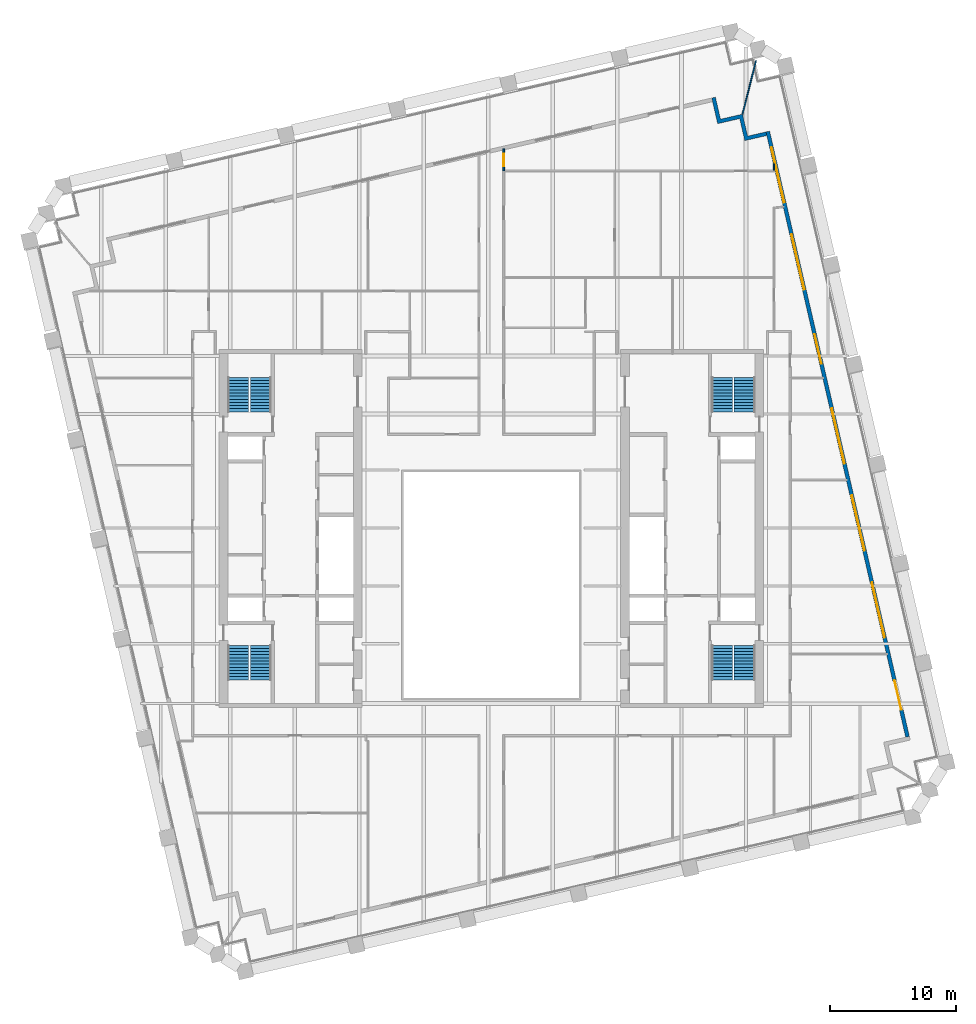
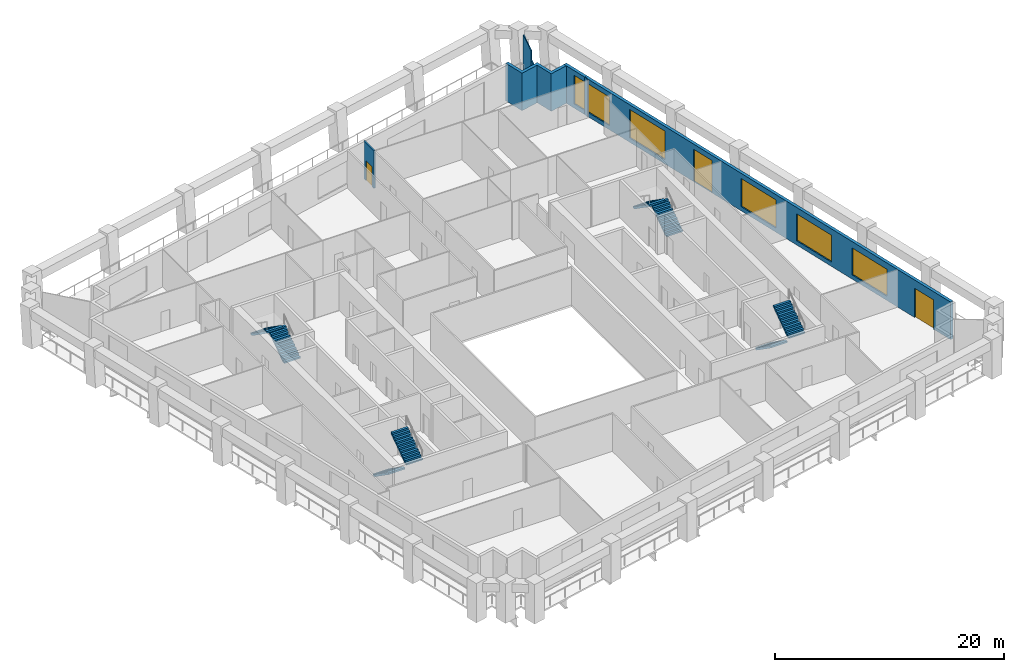
# One storey, part 9 of 10: 8 stair flights, 6 walls, 5 windows, 3 doors, 8 openings, 4 elements without a shape of their own.
"""IFC4 building model written with IfcOpenShell, lengths in metres."""

from ifc_helpers import new_model, si_unit, direction, frame, frame_2d, origin, place, context, subcontext, project, spatial, polyline, rectangle, outline, extrude, material, layer, layer_set, type_object, element, fill, aggregate, save


model = new_model("IFC4")

# Units and contexts
model_context = context("Model", 3, precision=1e-05, world=origin(), true_north=direction((0.0, 1.0)))
body_context = subcontext(model_context, "Body", "Model", "MODEL_VIEW")
ifc_project = project(units=[si_unit("LENGTHUNIT", "METRE"), si_unit("AREAUNIT", "SQUARE_METRE"), si_unit("VOLUMEUNIT", "CUBIC_METRE"), si_unit("PLANEANGLEUNIT", "RADIAN"), si_unit("MASSUNIT", "GRAM", prefix="KILO")], contexts=[model_context])

# Site, building, storey
site_placement = place(None, origin())
site = spatial("IfcSite", under=ifc_project, at=site_placement, CompositionType="ELEMENT")
building_placement = place(site_placement, origin())
building = spatial("IfcBuilding", under=site, at=building_placement, Name="Ogive Exchange Tower", CompositionType="ELEMENT")
storey_placement = place(building_placement, frame((0.0, 0.0, 192.60009765625)))
storey = spatial("IfcBuildingStorey", under=building, at=storey_placement, Name="L42", CompositionType="ELEMENT", Elevation=192.60009765625)

# Wall, opening, door
ifc_material_1 = material(Name="Fire partition EI 60 150")
ifc_layer_1 = layer(ifc_material_1, 0.14990234375)
ifc_layer_set_1 = layer_set([ifc_layer_1], Name="Fire partition EI 60 150")
wall_type_1 = type_object("IfcWallType", Name="Fire partition EI 60 150", PredefinedType="PARTITIONING", material=ifc_layer_set_1)
wall_1_placement = place(storey_placement, frame((0.989990234375, 41.7529296875, 0.0), z_axis=(0.0, 0.0, 1.0), x_axis=(0.0, -1.0, 0.0)))
wall_1 = element("IfcWall", 1, at=wall_1_placement, inside=storey, type_object=wall_type_1, Name="L42-PWL-048", PredefinedType="PARTITIONING", context=body_context, shape_type="SweptSolid", body=[
    extrude(rectangle(XDim=1.7529296875, YDim=0.14990234375, at=frame_2d((0.87646484375, 0.0))), origin(), (0.0, 0.0, 1.0), 4.0),
])
opening_1_placement = place(wall_1_placement, frame((0.403076171875, 0.0, 0.0)))
opening_1 = element("IfcOpeningElement", 2, at=opening_1_placement, cuts=wall_1, Name="Opening L42-I29", PredefinedType="OPENING", context=body_context, shape_type="SweptSolid", body=[
    extrude(rectangle(XDim=1.0, YDim=2.10009765625, at=frame_2d((0.5, 1.050048828125))), frame((0.0, 0.0849609375, 0.0), z_axis=(0.0, -1.0, 0.0), x_axis=(1.0, 0.0, 0.0)), (0.0, 0.0, 1.0), 0.169921875),
])
ifc_material_2 = material(Name="Fire door FD 30S 1000 x 2100")
door_type_1 = type_object("IfcDoorType", Name="Fire door FD 30S 1000 x 2100", OperationType="NOTDEFINED", PredefinedType="DOOR", material=ifc_material_2)
door_1_placement = place(opening_1_placement, origin())
door_1 = element("IfcDoor", 3, at=door_1_placement, inside=storey, type_object=door_type_1, Name="L42-IDR-029", ObjectType="DT3", OperationType="SINGLE_SWING_LEFT", OverallHeight=2.10009765625, OverallWidth=1.0, PredefinedType="DOOR", context=body_context, shape_type="SweptSolid", body=[
    extrude(rectangle(XDim=1.0, YDim=2.10009765625, at=frame_2d((0.5, 1.050048828125))), frame((0.0, 0.02490234375, 0.0), z_axis=(0.0, -1.0, 0.0), x_axis=(1.0, 0.0, 0.0)), (0.0, 0.0, 1.0), 0.050048828125),
])
fill(opening_1, door_1)

# Wall, openings, doors, windows
ifc_material_3 = material(Name="Precast concrete C40/50", Category="concrete")
ifc_layer_2 = layer(ifc_material_3, 0.300048828125)
ifc_layer_set_2 = layer_set([ifc_layer_2], Name="Limestone-faced wall 300")
wall_type_2 = type_object("IfcWallType", Name="Limestone-faced wall 300", PredefinedType="STANDARD", material=ifc_layer_set_2)
wall_2_placement = place(storey_placement, frame((33.1572265625, -5.092041015625, 0.0), z_axis=(0.0, 0.0, 1.0), x_axis=(-0.224950279389, 0.974370243697, 0.0)))
wall_2 = element("IfcWall", 4, at=wall_2_placement, inside=storey, type_object=wall_type_2, Name="External wall E2", PredefinedType="STANDARD", context=body_context, shape_type="SweptSolid", body=[
    extrude(rectangle(XDim=49.499755859375, YDim=0.300048828125, at=frame_2d((24.75, 0.0))), origin(), (0.0, 0.0, 1.0), 4.0),
])
opening_2_placement = place(wall_2_placement, frame((2.20703125, 0.0, 0.0)))
opening_2 = element("IfcOpeningElement", 5, at=opening_2_placement, cuts=wall_2, Name="Opening D1J", PredefinedType="OPENING", context=body_context, shape_type="SweptSolid", body=[
    extrude(rectangle(XDim=2.39990234375, YDim=3.125, at=frame_2d((1.199951171875, 1.5625))), frame((0.0, 0.159912109375, 0.0), z_axis=(0.0, -1.0, 0.0), x_axis=(1.0, 0.0, 0.0)), (0.0, 0.0, 1.0), 0.320068359375),
])
opening_3_placement = place(wall_2_placement, frame((8.121337890625, 0.0, 0.449951171875)))
opening_3 = element("IfcOpeningElement", 6, at=opening_3_placement, cuts=wall_2, Name="Opening W1D", PredefinedType="OPENING", context=body_context, shape_type="SweptSolid", body=[
    extrude(rectangle(XDim=4.5, YDim=2.875, at=frame_2d((2.25, 1.4375))), frame((0.0, 0.159912109375, 0.0), z_axis=(0.0, -1.0, 0.0), x_axis=(1.0, 0.0, 0.0)), (0.0, 0.0, 1.0), 0.320068359375),
])
opening_4_placement = place(wall_2_placement, frame((15.235595703125, 0.0, 0.449951171875)))
opening_4 = element("IfcOpeningElement", 7, at=opening_4_placement, cuts=wall_2, Name="Opening W1D", PredefinedType="OPENING", context=body_context, shape_type="SweptSolid", body=[
    extrude(rectangle(XDim=4.5, YDim=2.875, at=frame_2d((2.25, 1.4375))), frame((0.0, 0.159912109375, 0.0), z_axis=(0.0, -1.0, 0.0), x_axis=(1.0, 0.0, 0.0)), (0.0, 0.0, 1.0), 0.320068359375),
])
opening_5_placement = place(wall_2_placement, frame((22.35009765625, 0.0, 0.449951171875)))
opening_5 = element("IfcOpeningElement", 8, at=opening_5_placement, cuts=wall_2, Name="Opening W1A", PredefinedType="OPENING", context=body_context, shape_type="SweptSolid", body=[
    extrude(rectangle(XDim=4.5, YDim=3.0, at=frame_2d((2.25, 1.5))), frame((0.0, 0.159912109375, 0.0), z_axis=(0.0, -1.0, 0.0), x_axis=(1.0, 0.0, 0.0)), (0.0, 0.0, 1.0), 0.320068359375),
])
opening_6_placement = place(wall_2_placement, frame((30.51416015625, 0.0, 0.0)))
opening_6 = element("IfcOpeningElement", 9, at=opening_6_placement, cuts=wall_2, Name="Opening D1A", PredefinedType="OPENING", context=body_context, shape_type="SweptSolid", body=[
    extrude(rectangle(XDim=2.39990234375, YDim=3.449951171875, at=frame_2d((1.199951171875, 1.72509765625))), frame((0.0, 0.159912109375, 0.0), z_axis=(0.0, -1.0, 0.0), x_axis=(1.0, 0.0, 0.0)), (0.0, 0.0, 1.0), 0.320068359375),
])
opening_7_placement = place(wall_2_placement, frame((36.57861328125, 0.0, 0.449951171875)))
opening_7 = element("IfcOpeningElement", 10, at=opening_7_placement, cuts=wall_2, Name="Opening W1", PredefinedType="OPENING", context=body_context, shape_type="SweptSolid", body=[
    extrude(rectangle(XDim=4.5, YDim=3.050048828125, at=frame_2d((2.25, 1.52490234375))), frame((0.0, 0.159912109375, 0.0), z_axis=(0.0, -1.0, 0.0), x_axis=(1.0, 0.0, 0.0)), (0.0, 0.0, 1.0), 0.320068359375),
])
opening_8_placement = place(wall_2_placement, frame((43.69287109375, 0.0, 0.449951171875)))
opening_8 = element("IfcOpeningElement", 11, at=opening_8_placement, cuts=wall_2, Name="Opening W1", PredefinedType="OPENING", context=body_context, shape_type="SweptSolid", body=[
    extrude(rectangle(XDim=4.5, YDim=3.050048828125, at=frame_2d((2.25, 1.52490234375))), frame((0.0, 0.159912109375, 0.0), z_axis=(0.0, -1.0, 0.0), x_axis=(1.0, 0.0, 0.0)), (0.0, 0.0, 1.0), 0.320068359375),
])
ifc_material_4 = material(Name="Clear glass in bronze frame", Category="glass")
door_type_2 = type_object("IfcDoorType", Name="Sliding loggia door 2400 x 3125", OperationType="DOUBLE_DOOR_SLIDING", PredefinedType="DOOR", material=ifc_material_4)
door_2_placement = place(opening_2_placement, origin())
door_2 = element("IfcDoor", 12, at=door_2_placement, inside=storey, type_object=door_type_2, Name="Loggia door E00", OperationType="DOUBLE_DOOR_SLIDING", OverallHeight=3.125, OverallWidth=2.39990234375, PredefinedType="DOOR", context=body_context, shape_type="SweptSolid", body=[
    extrude(rectangle(XDim=2.39990234375, YDim=3.125, at=frame_2d((1.199951171875, 1.5625))), frame((0.0, 0.02490234375, 0.0), z_axis=(0.0, -1.0, 0.0), x_axis=(1.0, 0.0, 0.0)), (0.0, 0.0, 1.0), 0.050048828125),
])
fill(opening_2, door_2)
door_type_3 = type_object("IfcDoorType", Name="Sliding loggia door 2400 x 3450", OperationType="DOUBLE_DOOR_SLIDING", PredefinedType="DOOR", material=ifc_material_4)
door_3_placement = place(opening_6_placement, origin())
door_3 = element("IfcDoor", 13, at=door_3_placement, inside=storey, type_object=door_type_3, Name="Loggia door E04", OperationType="DOUBLE_DOOR_SLIDING", OverallHeight=3.449951171875, OverallWidth=2.39990234375, PredefinedType="DOOR", context=body_context, shape_type="SweptSolid", body=[
    extrude(rectangle(XDim=2.39990234375, YDim=3.449951171875, at=frame_2d((1.199951171875, 1.72509765625))), frame((0.0, 0.02490234375, 0.0), z_axis=(0.0, -1.0, 0.0), x_axis=(1.0, 0.0, 0.0)), (0.0, 0.0, 1.0), 0.050048828125),
])
fill(opening_6, door_3)
window_type_1 = type_object("IfcWindowType", Name="Twin lancet window 4500 x 2875", PartitioningType="DOUBLE_PANEL_VERTICAL", PredefinedType="WINDOW", material=ifc_material_4)
window_1_placement = place(opening_3_placement, origin())
window_1 = element("IfcWindow", 14, at=window_1_placement, inside=storey, type_object=window_type_1, Name="Window E01", OverallHeight=2.875, OverallWidth=4.5, PartitioningType="DOUBLE_PANEL_VERTICAL", PredefinedType="WINDOW", context=body_context, shape_type="SweptSolid", body=[
    extrude(rectangle(XDim=4.5, YDim=2.875, at=frame_2d((2.25, 1.4375))), frame((0.0, 0.030029296875, 0.0), z_axis=(0.0, -1.0, 0.0), x_axis=(1.0, 0.0, 0.0)), (0.0, 0.0, 1.0), 0.06005859375),
])
fill(opening_3, window_1)
window_2_placement = place(opening_4_placement, origin())
window_2 = element("IfcWindow", 15, at=window_2_placement, inside=storey, type_object=window_type_1, Name="Window E02", OverallHeight=2.875, OverallWidth=4.5, PartitioningType="DOUBLE_PANEL_VERTICAL", PredefinedType="WINDOW", context=body_context, shape_type="SweptSolid", body=[
    extrude(rectangle(XDim=4.5, YDim=2.875, at=frame_2d((2.25, 1.4375))), frame((0.0, 0.030029296875, 0.0), z_axis=(0.0, -1.0, 0.0), x_axis=(1.0, 0.0, 0.0)), (0.0, 0.0, 1.0), 0.06005859375),
])
fill(opening_4, window_2)
window_type_2 = type_object("IfcWindowType", Name="Twin lancet window 4500 x 3000", PartitioningType="DOUBLE_PANEL_VERTICAL", PredefinedType="WINDOW", material=ifc_material_4)
window_3_placement = place(opening_5_placement, origin())
window_3 = element("IfcWindow", 16, at=window_3_placement, inside=storey, type_object=window_type_2, Name="Window E03", OverallHeight=3.0, OverallWidth=4.5, PartitioningType="DOUBLE_PANEL_VERTICAL", PredefinedType="WINDOW", context=body_context, shape_type="SweptSolid", body=[
    extrude(rectangle(XDim=4.5, YDim=3.0, at=frame_2d((2.25, 1.5))), frame((0.0, 0.030029296875, 0.0), z_axis=(0.0, -1.0, 0.0), x_axis=(1.0, 0.0, 0.0)), (0.0, 0.0, 1.0), 0.06005859375),
])
fill(opening_5, window_3)
window_type_3 = type_object("IfcWindowType", Name="Twin lancet window 4500 x 3050", PartitioningType="DOUBLE_PANEL_VERTICAL", PredefinedType="WINDOW", material=ifc_material_4)
window_4_placement = place(opening_7_placement, origin())
window_4 = element("IfcWindow", 17, at=window_4_placement, inside=storey, type_object=window_type_3, Name="Window E05", OverallHeight=3.050048828125, OverallWidth=4.5, PartitioningType="DOUBLE_PANEL_VERTICAL", PredefinedType="WINDOW", context=body_context, shape_type="SweptSolid", body=[
    extrude(rectangle(XDim=4.5, YDim=3.050048828125, at=frame_2d((2.25, 1.52490234375))), frame((0.0, 0.030029296875, 0.0), z_axis=(0.0, -1.0, 0.0), x_axis=(1.0, 0.0, 0.0)), (0.0, 0.0, 1.0), 0.06005859375),
])
fill(opening_7, window_4)
window_5_placement = place(opening_8_placement, origin())
window_5 = element("IfcWindow", 18, at=window_5_placement, inside=storey, type_object=window_type_3, Name="Window E06", OverallHeight=3.050048828125, OverallWidth=4.5, PartitioningType="DOUBLE_PANEL_VERTICAL", PredefinedType="WINDOW", context=body_context, shape_type="SweptSolid", body=[
    extrude(rectangle(XDim=4.5, YDim=3.050048828125, at=frame_2d((2.25, 1.52490234375))), frame((0.0, 0.030029296875, 0.0), z_axis=(0.0, -1.0, 0.0), x_axis=(1.0, 0.0, 0.0)), (0.0, 0.0, 1.0), 0.06005859375),
])
fill(opening_8, window_5)

# Walls
wall_3_placement = place(storey_placement, origin())
element("IfcWall", 19, at=wall_3_placement, inside=storey, type_object=wall_type_2, Name="External corner wall C2", PredefinedType="STANDARD", context=body_context, shape_type="SweptSolid", body=[
    extrude(outline(polyline([(19.78466796875, 44.162109375), (18.03076171875, 43.757080078125), (17.558349609375, 45.80322265625), (17.8505859375, 45.870849609375), (18.255615234375, 44.116943359375), (20.009521484375, 44.52197265625), (20.414306640625, 42.76806640625), (21.8759765625, 43.10546875), (21.943359375, 42.81298828125), (20.189697265625, 42.408203125), (19.78466796875, 44.162109375)])), origin(), (0.0, 0.0, 1.0), 4.0),
])
ifc_material_5 = material(Name="Laminated safety glass in steel frame", Category="steel")
ifc_layer_3 = layer(ifc_material_5, 0.10009765625)
ifc_layer_set_3 = layer_set([ifc_layer_3], Name="Loggia end screen 100")
wall_type_3 = type_object("IfcWallType", Name="Loggia end screen 100", PredefinedType="STANDARD", material=ifc_layer_set_3)
wall_4_placement = place(storey_placement, frame((20.009521484375, 44.52197265625, -0.050048828125), z_axis=(0.0, 0.0, 1.0), x_axis=(0.245426435893, 0.969415217832, 0.0)))
element("IfcWall", 20, at=wall_4_placement, inside=storey, type_object=wall_type_3, Name="Loggia end screen C2", PredefinedType="STANDARD", context=body_context, shape_type="SweptSolid", body=[
    extrude(rectangle(XDim=1.906982421875, YDim=0.10009765625, at=frame_2d((0.95361328125, 0.0))), origin(), (0.0, 0.0, 1.0), 3.070068359375),
])
wall_5_placement = place(storey_placement, frame((20.4775390625, 46.37060546875, -0.050048828125), z_axis=(0.0, 0.0, 1.0), x_axis=(0.245413649937, 0.969418454758, 0.0)))
element("IfcWall", 21, at=wall_5_placement, inside=storey, type_object=wall_type_3, Name="Loggia end screen C2", PredefinedType="STANDARD", context=body_context, shape_type="SweptSolid", body=[
    extrude(rectangle(XDim=2.47412109375, YDim=0.10009765625, at=frame_2d((1.237060546875, 0.0))), origin(), (0.0, 0.0, 1.0), 4.050048828125),
])
ifc_material_6 = material(Name="Partition 100 gypsum")
ifc_layer_4 = layer(ifc_material_6, 0.10009765625)
ifc_layer_set_4 = layer_set([ifc_layer_4], Name="Partition 100 gypsum")
wall_type_4 = type_object("IfcWallType", Name="Partition 100 gypsum", PredefinedType="PARTITIONING", material=ifc_layer_set_4)
wall_6_placement = place(storey_placement, frame((22.52001953125, 40.050048828125, 0.0), z_axis=(0.0, 0.0, 1.0), x_axis=(0.0, 1.0, 0.0)))
element("IfcWall", 22, at=wall_6_placement, inside=storey, type_object=wall_type_4, Name="L42-PWL-076", PredefinedType="PARTITIONING", context=body_context, shape_type="SweptSolid", body=[
    extrude(rectangle(XDim=0.510009765625, YDim=0.10009765625, at=frame_2d((0.2548828125, 0.0))), origin(), (0.0, 0.0, 1.0), 4.0),
])

# Stair, stair flights
ifc_material_7 = material(Name="Concrete C40/50", Category="concrete")
stair_type = type_object("IfcStairType", Name="Exit stair 1650 wide", PredefinedType="HALF_TURN_STAIR", material=ifc_material_7)
stair_1_placement = place(storey_placement, origin())
stair_1 = element("IfcStair", 23, at=stair_1_placement, inside=storey, type_object=stair_type, Name="L42 exit stair ST1", PredefinedType="HALF_TURN_STAIR")
stair_flight_type = type_object("IfcStairFlightType", Name="Stair flight 1650 wide", PredefinedType="STRAIGHT", material=ifc_material_7)
stair_flight_1_placement = place(storey_placement, frame((-20.175048828125, 2.199951171875, 0.0), z_axis=(0.0, 0.0, 1.0), x_axis=(0.0, -1.0, 0.0)))
stair_flight_1 = element("IfcStairFlight", 24, at=stair_flight_1_placement, type_object=stair_flight_type, Name="ST1 flight 1", NumberOfRisers=12, NumberOfTreads=11, PredefinedType="STRAIGHT", RiserHeight=0.175, TreadLength=0.25, context=body_context, shape_type="SweptSolid", body=[
    extrude(outline(polyline([(0.0, 0.0), (0.0, 0.175048828125), (0.25, 0.175048828125), (0.25, 0.35009765625), (0.5, 0.35009765625), (0.5, 0.52490234375), (0.75, 0.52490234375), (0.75, 0.699951171875), (1.0, 0.699951171875), (1.0, 0.875), (1.25, 0.875), (1.25, 1.050048828125), (1.5, 1.050048828125), (1.5, 1.22509765625), (1.75, 1.22509765625), (1.75, 1.39990234375), (2.0, 1.39990234375), (2.0, 1.574951171875), (2.25, 1.574951171875), (2.25, 1.75), (2.5, 1.75), (2.5, 1.925048828125), (2.75, 1.925048828125), (2.75, 2.10009765625), (2.75, 1.741943359375), (0.261474609375, 0.0), (0.0, 0.0)])), frame((0.0, 0.824951171875, 0.0), z_axis=(0.0, -1.0, 0.0), x_axis=(1.0, 0.0, 0.0)), (0.0, 0.0, 1.0), 1.64990234375),
])
stair_flight_2_placement = place(storey_placement, frame((-18.375, -0.550048828125, 2.099853515625), z_axis=(0.0, 0.0, 1.0), x_axis=(0.0, 1.0, 0.0)))
stair_flight_2 = element("IfcStairFlight", 25, at=stair_flight_2_placement, type_object=stair_flight_type, Name="ST1 flight 2", NumberOfRisers=12, NumberOfTreads=11, PredefinedType="STRAIGHT", RiserHeight=0.175, TreadLength=0.25, context=body_context, shape_type="SweptSolid", body=[
    extrude(outline(polyline([(0.0, 0.0), (0.0, 0.175048828125), (0.25, 0.175048828125), (0.25, 0.35009765625), (0.5, 0.35009765625), (0.5, 0.52490234375), (0.75, 0.52490234375), (0.75, 0.699951171875), (1.0, 0.699951171875), (1.0, 0.875), (1.25, 0.875), (1.25, 1.050048828125), (1.5, 1.050048828125), (1.5, 1.22509765625), (1.75, 1.22509765625), (1.75, 1.39990234375), (2.0, 1.39990234375), (2.0, 1.574951171875), (2.25, 1.574951171875), (2.25, 1.75), (2.5, 1.75), (2.5, 1.925048828125), (2.75, 1.925048828125), (2.75, 2.10009765625), (2.75, 1.741943359375), (0.261474609375, 0.0), (0.0, 0.0)])), frame((0.0, 0.824951171875, 0.0), z_axis=(0.0, -1.0, 0.0), x_axis=(1.0, 0.0, 0.0)), (0.0, 0.0, 1.0), 1.64990234375),
])
aggregate(stair_1, [stair_flight_1, stair_flight_2])

stair_2_placement = place(storey_placement, origin())
stair_2 = element("IfcStair", 26, at=stair_2_placement, inside=storey, type_object=stair_type, Name="L42 exit stair ST2", PredefinedType="HALF_TURN_STAIR")
stair_flight_3_placement = place(storey_placement, frame((-18.375, 20.800048828125, 0.0), z_axis=(0.0, 0.0, 1.0), x_axis=(0.0, 1.0, 0.0)))
stair_flight_3 = element("IfcStairFlight", 27, at=stair_flight_3_placement, type_object=stair_flight_type, Name="ST2 flight 1", NumberOfRisers=12, NumberOfTreads=11, PredefinedType="STRAIGHT", RiserHeight=0.175, TreadLength=0.25, context=body_context, shape_type="SweptSolid", body=[
    extrude(outline(polyline([(0.0, 0.0), (0.0, 0.175048828125), (0.25, 0.175048828125), (0.25, 0.35009765625), (0.5, 0.35009765625), (0.5, 0.52490234375), (0.75, 0.52490234375), (0.75, 0.699951171875), (1.0, 0.699951171875), (1.0, 0.875), (1.25, 0.875), (1.25, 1.050048828125), (1.5, 1.050048828125), (1.5, 1.22509765625), (1.75, 1.22509765625), (1.75, 1.39990234375), (2.0, 1.39990234375), (2.0, 1.574951171875), (2.25, 1.574951171875), (2.25, 1.75), (2.5, 1.75), (2.5, 1.925048828125), (2.75, 1.925048828125), (2.75, 2.10009765625), (2.75, 1.741943359375), (0.261474609375, 0.0), (0.0, 0.0)])), frame((0.0, 0.824951171875, 0.0), z_axis=(0.0, -1.0, 0.0), x_axis=(1.0, 0.0, 0.0)), (0.0, 0.0, 1.0), 1.64990234375),
])
stair_flight_4_placement = place(storey_placement, frame((-20.175048828125, 23.550048828125, 2.099853515625), z_axis=(0.0, 0.0, 1.0), x_axis=(0.0, -1.0, 0.0)))
stair_flight_4 = element("IfcStairFlight", 28, at=stair_flight_4_placement, type_object=stair_flight_type, Name="ST2 flight 2", NumberOfRisers=12, NumberOfTreads=11, PredefinedType="STRAIGHT", RiserHeight=0.175, TreadLength=0.25, context=body_context, shape_type="SweptSolid", body=[
    extrude(outline(polyline([(0.0, 0.0), (0.0, 0.175048828125), (0.25, 0.175048828125), (0.25, 0.35009765625), (0.5, 0.35009765625), (0.5, 0.52490234375), (0.75, 0.52490234375), (0.75, 0.699951171875), (1.0, 0.699951171875), (1.0, 0.875), (1.25, 0.875), (1.25, 1.050048828125), (1.5, 1.050048828125), (1.5, 1.22509765625), (1.75, 1.22509765625), (1.75, 1.39990234375), (2.0, 1.39990234375), (2.0, 1.574951171875), (2.25, 1.574951171875), (2.25, 1.75), (2.5, 1.75), (2.5, 1.925048828125), (2.75, 1.925048828125), (2.75, 2.10009765625), (2.75, 1.741943359375), (0.261474609375, 0.0), (0.0, 0.0)])), frame((0.0, 0.824951171875, 0.0), z_axis=(0.0, -1.0, 0.0), x_axis=(1.0, 0.0, 0.0)), (0.0, 0.0, 1.0), 1.64990234375),
])
aggregate(stair_2, [stair_flight_3, stair_flight_4])

stair_3_placement = place(storey_placement, origin())
stair_3 = element("IfcStair", 29, at=stair_3_placement, inside=storey, type_object=stair_type, Name="L42 exit stair ST3", PredefinedType="HALF_TURN_STAIR")
stair_flight_5_placement = place(storey_placement, frame((18.375, 2.199951171875, 0.0), z_axis=(0.0, 0.0, 1.0), x_axis=(0.0, -1.0, 0.0)))
stair_flight_5 = element("IfcStairFlight", 30, at=stair_flight_5_placement, type_object=stair_flight_type, Name="ST3 flight 1", NumberOfRisers=12, NumberOfTreads=11, PredefinedType="STRAIGHT", RiserHeight=0.175, TreadLength=0.25, context=body_context, shape_type="SweptSolid", body=[
    extrude(outline(polyline([(0.0, 0.0), (0.0, 0.175048828125), (0.25, 0.175048828125), (0.25, 0.35009765625), (0.5, 0.35009765625), (0.5, 0.52490234375), (0.75, 0.52490234375), (0.75, 0.699951171875), (1.0, 0.699951171875), (1.0, 0.875), (1.25, 0.875), (1.25, 1.050048828125), (1.5, 1.050048828125), (1.5, 1.22509765625), (1.75, 1.22509765625), (1.75, 1.39990234375), (2.0, 1.39990234375), (2.0, 1.574951171875), (2.25, 1.574951171875), (2.25, 1.75), (2.5, 1.75), (2.5, 1.925048828125), (2.75, 1.925048828125), (2.75, 2.10009765625), (2.75, 1.741943359375), (0.261474609375, 0.0), (0.0, 0.0)])), frame((0.0, 0.824951171875, 0.0), z_axis=(0.0, -1.0, 0.0), x_axis=(1.0, 0.0, 0.0)), (0.0, 0.0, 1.0), 1.64990234375),
])
stair_flight_6_placement = place(storey_placement, frame((20.175048828125, -0.550048828125, 2.099853515625), z_axis=(0.0, 0.0, 1.0), x_axis=(0.0, 1.0, 0.0)))
stair_flight_6 = element("IfcStairFlight", 31, at=stair_flight_6_placement, type_object=stair_flight_type, Name="ST3 flight 2", NumberOfRisers=12, NumberOfTreads=11, PredefinedType="STRAIGHT", RiserHeight=0.175, TreadLength=0.25, context=body_context, shape_type="SweptSolid", body=[
    extrude(outline(polyline([(0.0, 0.0), (0.0, 0.175048828125), (0.25, 0.175048828125), (0.25, 0.35009765625), (0.5, 0.35009765625), (0.5, 0.52490234375), (0.75, 0.52490234375), (0.75, 0.699951171875), (1.0, 0.699951171875), (1.0, 0.875), (1.25, 0.875), (1.25, 1.050048828125), (1.5, 1.050048828125), (1.5, 1.22509765625), (1.75, 1.22509765625), (1.75, 1.39990234375), (2.0, 1.39990234375), (2.0, 1.574951171875), (2.25, 1.574951171875), (2.25, 1.75), (2.5, 1.75), (2.5, 1.925048828125), (2.75, 1.925048828125), (2.75, 2.10009765625), (2.75, 1.741943359375), (0.261474609375, 0.0), (0.0, 0.0)])), frame((0.0, 0.824951171875, 0.0), z_axis=(0.0, -1.0, 0.0), x_axis=(1.0, 0.0, 0.0)), (0.0, 0.0, 1.0), 1.64990234375),
])
aggregate(stair_3, [stair_flight_5, stair_flight_6])

stair_4_placement = place(storey_placement, origin())
stair_4 = element("IfcStair", 32, at=stair_4_placement, inside=storey, type_object=stair_type, Name="L42 exit stair ST4", PredefinedType="HALF_TURN_STAIR")
stair_flight_7_placement = place(storey_placement, frame((20.175048828125, 20.800048828125, 0.0), z_axis=(0.0, 0.0, 1.0), x_axis=(0.0, 1.0, 0.0)))
stair_flight_7 = element("IfcStairFlight", 33, at=stair_flight_7_placement, type_object=stair_flight_type, Name="ST4 flight 1", NumberOfRisers=12, NumberOfTreads=11, PredefinedType="STRAIGHT", RiserHeight=0.175, TreadLength=0.25, context=body_context, shape_type="SweptSolid", body=[
    extrude(outline(polyline([(0.0, 0.0), (0.0, 0.175048828125), (0.25, 0.175048828125), (0.25, 0.35009765625), (0.5, 0.35009765625), (0.5, 0.52490234375), (0.75, 0.52490234375), (0.75, 0.699951171875), (1.0, 0.699951171875), (1.0, 0.875), (1.25, 0.875), (1.25, 1.050048828125), (1.5, 1.050048828125), (1.5, 1.22509765625), (1.75, 1.22509765625), (1.75, 1.39990234375), (2.0, 1.39990234375), (2.0, 1.574951171875), (2.25, 1.574951171875), (2.25, 1.75), (2.5, 1.75), (2.5, 1.925048828125), (2.75, 1.925048828125), (2.75, 2.10009765625), (2.75, 1.741943359375), (0.261474609375, 0.0), (0.0, 0.0)])), frame((0.0, 0.824951171875, 0.0), z_axis=(0.0, -1.0, 0.0), x_axis=(1.0, 0.0, 0.0)), (0.0, 0.0, 1.0), 1.64990234375),
])
stair_flight_8_placement = place(storey_placement, frame((18.375, 23.550048828125, 2.099853515625), z_axis=(0.0, 0.0, 1.0), x_axis=(0.0, -1.0, 0.0)))
stair_flight_8 = element("IfcStairFlight", 34, at=stair_flight_8_placement, type_object=stair_flight_type, Name="ST4 flight 2", NumberOfRisers=12, NumberOfTreads=11, PredefinedType="STRAIGHT", RiserHeight=0.175, TreadLength=0.25, context=body_context, shape_type="SweptSolid", body=[
    extrude(outline(polyline([(0.0, 0.0), (0.0, 0.175048828125), (0.25, 0.175048828125), (0.25, 0.35009765625), (0.5, 0.35009765625), (0.5, 0.52490234375), (0.75, 0.52490234375), (0.75, 0.699951171875), (1.0, 0.699951171875), (1.0, 0.875), (1.25, 0.875), (1.25, 1.050048828125), (1.5, 1.050048828125), (1.5, 1.22509765625), (1.75, 1.22509765625), (1.75, 1.39990234375), (2.0, 1.39990234375), (2.0, 1.574951171875), (2.25, 1.574951171875), (2.25, 1.75), (2.5, 1.75), (2.5, 1.925048828125), (2.75, 1.925048828125), (2.75, 2.10009765625), (2.75, 1.741943359375), (0.261474609375, 0.0), (0.0, 0.0)])), frame((0.0, 0.824951171875, 0.0), z_axis=(0.0, -1.0, 0.0), x_axis=(1.0, 0.0, 0.0)), (0.0, 0.0, 1.0), 1.64990234375),
])
aggregate(stair_4, [stair_flight_7, stair_flight_8])

save(model, "model.ifc")
